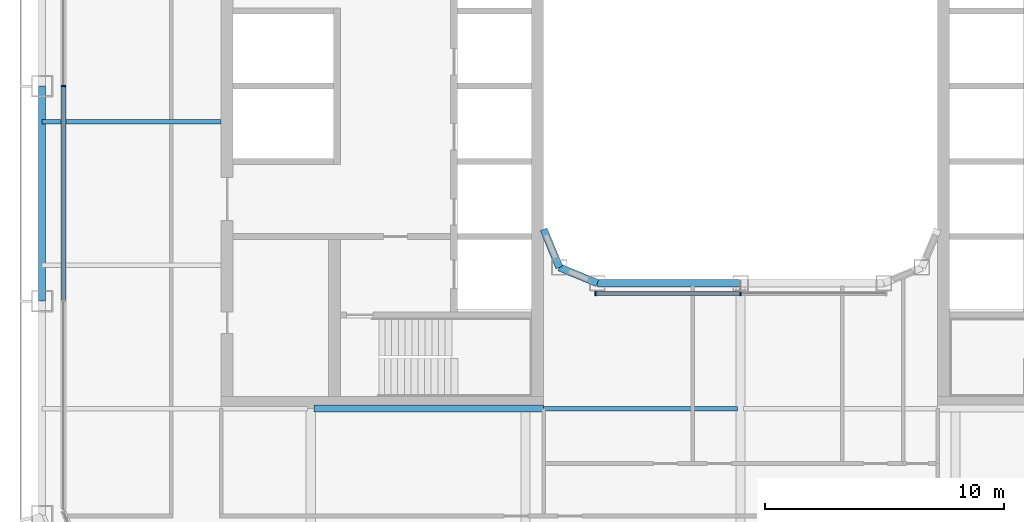
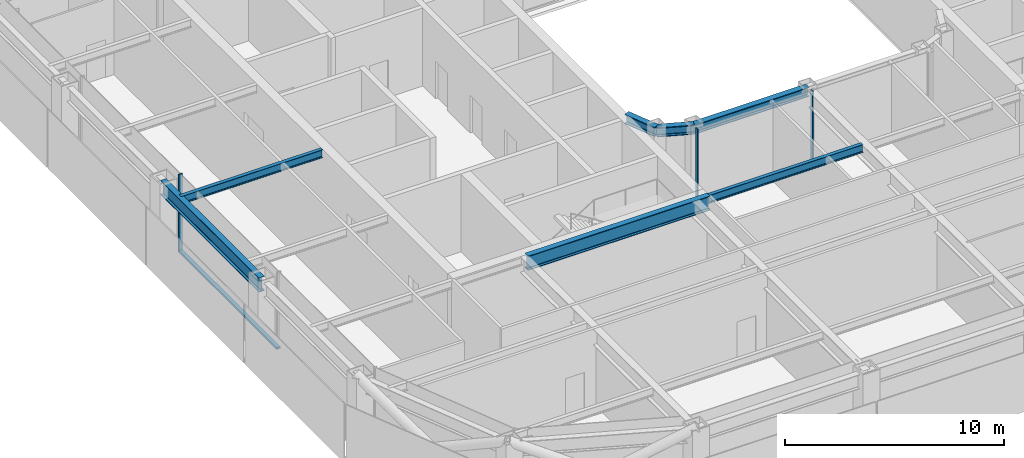
# One storey, part 3 of 23: 7 beams, 5 members, 2 elements without a shape of their own.
"""IFC4 building model written with IfcOpenShell, lengths in metres."""

from ifc_helpers import new_model, si_unit, direction, frame, origin, origin_2d, place, context, subcontext, project, spatial, rectangle, i_section, extrude, material, layer, layer_set, material_profile, profile_set, type_object, element, aggregate, save


model = new_model("IFC4")

# Units and contexts
model_context = context("Model", 3, precision=1e-05, world=origin(), true_north=direction((0.0, 1.0)))
body_context = subcontext(model_context, "Body", "Model", "MODEL_VIEW")
ifc_project = project(units=[si_unit("LENGTHUNIT", "METRE"), si_unit("AREAUNIT", "SQUARE_METRE"), si_unit("VOLUMEUNIT", "CUBIC_METRE"), si_unit("PLANEANGLEUNIT", "RADIAN"), si_unit("MASSUNIT", "GRAM", prefix="KILO")], contexts=[model_context])

# Site, building, storey
site_placement = place(None, origin())
site = spatial("IfcSite", under=ifc_project, at=site_placement, CompositionType="ELEMENT")
building_placement = place(site_placement, origin())
building = spatial("IfcBuilding", under=site, at=building_placement, Name="Siwar Civic Tower", CompositionType="ELEMENT")
storey_placement = place(building_placement, frame((0.0, 0.0, 167.699951171875)))
storey = spatial("IfcBuildingStorey", under=building, at=storey_placement, Name="L36", CompositionType="ELEMENT", Elevation=167.699951171875)

# Curtain wall, member
ifc_material_1 = material(Name="Aluminium and glass", Category="aluminium")
ifc_layer_1 = layer(ifc_material_1, 0.199951171875)
ifc_layer_set_1 = layer_set([ifc_layer_1], Name="Aluminium and glass")
curtain_wall_type_1 = type_object("IfcCurtainWallType", Name="ENV-CW-B", PredefinedType="NOTDEFINED", material=ifc_layer_set_1)
curtain_wall_1_placement = place(storey_placement, origin())
curtain_wall_1 = element("IfcCurtainWall", 1, at=curtain_wall_1_placement, inside=storey, type_object=curtain_wall_type_1, Name="Curtain wall B W", PredefinedType="NOTDEFINED")
ifc_material_2 = material(Name="Aluminium 6063-T6", Category="aluminium")
ifc_material_profile_1 = material_profile(ifc_material_2, rectangle(XDim=0.199951171875, YDim=0.06494140625, at=origin_2d()), Name="AL 200x65")
ifc_profile_set_1 = profile_set([ifc_material_profile_1], Name="Aluminium 6063-T6")
member_type_1 = type_object("IfcMemberType", Name="ENV-MULLION-B", PredefinedType="MULLION", material=ifc_profile_set_1)
member_1_placement = place(storey_placement, frame((-28.35009765625, 0.0, 0.0), z_axis=(0.0, 0.0, 1.0), x_axis=(1.0, 0.0, 0.0)))
member_1 = element("IfcMember", 2, at=member_1_placement, type_object=member_type_1, Name="Mullion B W 3", PredefinedType="MULLION", context=body_context, shape_type="SweptSolid", body=[
    extrude(rectangle(XDim=0.199951171875, YDim=0.06494140625, at=origin_2d()), origin(), (0.0, 0.0, 1.0), 4.35009765625),
])

# Curtain wall, members
ifc_material_3 = material(Name="Aluminium and glass", Category="aluminium")
ifc_layer_2 = layer(ifc_material_3, 0.179931640625)
ifc_layer_set_2 = layer_set([ifc_layer_2], Name="Aluminium and glass")
curtain_wall_type_2 = type_object("IfcCurtainWallType", Name="ENV-CW-W", PredefinedType="NOTDEFINED", material=ifc_layer_set_2)
curtain_wall_2_placement = place(storey_placement, origin())
curtain_wall_2 = element("IfcCurtainWall", 3, at=curtain_wall_2_placement, inside=storey, type_object=curtain_wall_type_2, Name="Curtain wall W WS", PredefinedType="NOTDEFINED")
ifc_material_4 = material(Name="Aluminium 6063-T6", Category="aluminium")
ifc_material_profile_2 = material_profile(ifc_material_4, rectangle(XDim=0.179931640625, YDim=0.06005859375, at=origin_2d()), Name="AL 180x60")
ifc_profile_set_2 = profile_set([ifc_material_profile_2], Name="Aluminium 6063-T6")
member_type_2 = type_object("IfcMemberType", Name="ENV-MULLION-W", PredefinedType="MULLION", material=ifc_profile_set_2)
member_2_placement = place(storey_placement, frame((-6.08642578125, -8.68505859375, 0.0), z_axis=(0.0, 0.0, 1.0), x_axis=(0.0, 1.0, 0.0)))
member_2 = element("IfcMember", 4, at=member_2_placement, type_object=member_type_2, Name="Mullion W WS 1", PredefinedType="MULLION", context=body_context, shape_type="SweptSolid", body=[
    extrude(rectangle(XDim=0.179931640625, YDim=0.06005859375, at=origin_2d()), origin(), (0.0, 0.0, 1.0), 4.35009765625),
])
member_3_placement = place(storey_placement, frame((0.0, -8.68505859375, 0.0), z_axis=(0.0, 0.0, 1.0), x_axis=(0.0, 1.0, 0.0)))
member_3 = element("IfcMember", 5, at=member_3_placement, type_object=member_type_2, Name="Mullion W WS 2", PredefinedType="MULLION", context=body_context, shape_type="SweptSolid", body=[
    extrude(rectangle(XDim=0.179931640625, YDim=0.06005859375, at=origin_2d()), origin(), (0.0, 0.0, 1.0), 4.35009765625),
])

# Member
ifc_material_5 = material(Name="Aluminium 6063-T6", Category="aluminium")
ifc_material_profile_3 = material_profile(ifc_material_5, rectangle(XDim=0.199951171875, YDim=0.110107421875, at=origin_2d()), Name="AL 200x110")
ifc_profile_set_3 = profile_set([ifc_material_profile_3], Name="Aluminium 6063-T6")
member_type_3 = type_object("IfcMemberType", Name="ENV-TRANSOM-B", PredefinedType="USERDEFINED", material=ifc_profile_set_3)
member_4_placement = place(storey_placement, frame((-28.35009765625, -0.032470703125, 0.054931640625), z_axis=(0.0, -1.0, 0.0), x_axis=(1.0, 0.0, 0.0)))
member_4 = element("IfcMember", 6, at=member_4_placement, type_object=member_type_3, Name="Transom B W 3", ObjectType="TRANSOM", PredefinedType="USERDEFINED", context=body_context, shape_type="SweptSolid", body=[
    extrude(rectangle(XDim=0.199951171875, YDim=0.110107421875, at=origin_2d()), origin(), (0.0, 0.0, 1.0), 8.93505859375),
])

aggregate(curtain_wall_1, [member_1, member_4])

ifc_material_6 = material(Name="Aluminium 6063-T6", Category="aluminium")
ifc_material_profile_4 = material_profile(ifc_material_6, rectangle(XDim=0.179931640625, YDim=0.10009765625, at=origin_2d()), Name="AL 180x100")
ifc_profile_set_4 = profile_set([ifc_material_profile_4], Name="Aluminium 6063-T6")
member_type_4 = type_object("IfcMemberType", Name="ENV-TRANSOM-W", PredefinedType="USERDEFINED", material=ifc_profile_set_4)
member_5_placement = place(storey_placement, frame((-6.056640625, -8.68505859375, 0.050048828125), z_axis=(1.0, 0.0, 0.0), x_axis=(0.0, 1.0, 0.0)))
member_5 = element("IfcMember", 7, at=member_5_placement, type_object=member_type_4, Name="Transom W WS 1", ObjectType="TRANSOM", PredefinedType="USERDEFINED", context=body_context, shape_type="SweptSolid", body=[
    extrude(rectangle(XDim=0.179931640625, YDim=0.10009765625, at=origin_2d()), origin(), (0.0, 0.0, 1.0), 6.026611328125),
])

aggregate(curtain_wall_2, [member_2, member_3, member_5])

# Beams
ifc_material_7 = material(Name="Steel S355", Category="steel")
ifc_material_profile_5 = material_profile(ifc_material_7, i_section(OverallWidth=0.18994140625, OverallDepth=0.449951171875, WebThickness=0.009521484375, FlangeThickness=0.0146484375, FilletRadius=0.02099609375, at=origin_2d()), Name="IPE450")
ifc_profile_set_5 = profile_set([ifc_material_profile_5], Name="Steel S355")
beam_type_1 = type_object("IfcBeamType", Name="STR-FB-IPE450", PredefinedType="JOIST", material=ifc_profile_set_5)
beam_1_placement = place(storey_placement, frame((-8.25, -13.5, 4.125), z_axis=(1.0, 0.0, 0.0), x_axis=(0.0, 1.0, 0.0)))
element("IfcBeam", 8, at=beam_1_placement, inside=storey, type_object=beam_type_1, Name="L36/bm/F016", PredefinedType="JOIST", context=body_context, shape_type="SweptSolid", body=[
    extrude(i_section(OverallWidth=0.18994140625, OverallDepth=0.449951171875, WebThickness=0.009521484375, FlangeThickness=0.0146484375, FilletRadius=0.02099609375, at=origin_2d()), origin(), (0.0, 0.0, 1.0), 8.1201171875),
])
beam_2_placement = place(storey_placement, frame((-29.25, -1.5, 4.125), z_axis=(1.0, 0.0, 0.0), x_axis=(0.0, 1.0, 0.0)))
element("IfcBeam", 9, at=beam_2_placement, inside=storey, type_object=beam_type_1, Name="L36/bm/F023", PredefinedType="JOIST", context=body_context, shape_type="SweptSolid", body=[
    extrude(i_section(OverallWidth=0.18994140625, OverallDepth=0.449951171875, WebThickness=0.009521484375, FlangeThickness=0.0146484375, FilletRadius=0.02099609375, at=origin_2d()), origin(), (0.0, 0.0, 1.0), 7.5),
])
ifc_material_8 = material(Name="Steel S355", Category="steel")
ifc_material_profile_6 = material_profile(ifc_material_8, i_section(OverallWidth=0.300048828125, OverallDepth=0.800048828125, WebThickness=0.017578125, FlangeThickness=0.032958984375, FilletRadius=0.030029296875, at=origin_2d()), Name="HEB800")
ifc_profile_set_6 = profile_set([ifc_material_profile_6], Name="Steel S355")
beam_type_2 = type_object("IfcBeamType", Name="STR-PG-HEB800", PredefinedType="BEAM", material=ifc_profile_set_6)
beam_3_placement = place(storey_placement, frame((-17.8701171875, -13.5, 3.949951171875), z_axis=(1.0, 0.0, 0.0), x_axis=(0.0, 1.0, 0.0)))
element("IfcBeam", 10, at=beam_3_placement, inside=storey, type_object=beam_type_2, Name="L36/bm/F015", PredefinedType="BEAM", context=body_context, shape_type="SweptSolid", body=[
    extrude(i_section(OverallWidth=0.300048828125, OverallDepth=0.800048828125, WebThickness=0.017578125, FlangeThickness=0.032958984375, FilletRadius=0.030029296875, at=origin_2d()), origin(), (0.0, 0.0, 1.0), 9.6201171875),
])
ifc_material_9 = material(Name="Steel S355", Category="steel")
ifc_material_profile_7 = material_profile(ifc_material_9, i_section(OverallWidth=0.305908203125, OverallDepth=0.52392578125, WebThickness=0.02099609375, FlangeThickness=0.0400390625, FilletRadius=0.027099609375, at=origin_2d()), Name="HEM500")
ifc_profile_set_7 = profile_set([ifc_material_profile_7], Name="Steel S355")
beam_type_3 = type_object("IfcBeamType", Name="STR-RB-HEM500", PredefinedType="BEAM", material=ifc_profile_set_7)
beam_4_placement = place(storey_placement, frame((-7.591064453125, -7.591064453125, 4.088134765625), z_axis=(0.923901072997, -0.382631424892, 0.0), x_axis=(0.382631424892, 0.923901072997, 0.0)))
element("IfcBeam", 11, at=beam_4_placement, inside=storey, type_object=beam_type_3, Name="L36/bm/RS0", PredefinedType="BEAM", context=body_context, shape_type="SweptSolid", body=[
    extrude(i_section(OverallWidth=0.305908203125, OverallDepth=0.52392578125, WebThickness=0.02099609375, FlangeThickness=0.0400390625, FilletRadius=0.027099609375, at=origin_2d()), origin(), (0.0, 0.0, 1.0), 1.72216796875),
])
beam_5_placement = place(storey_placement, frame((-6.0, -8.25, 4.088134765625), z_axis=(1.0, 0.0, 0.0), x_axis=(0.0, 1.0, 0.0)))
element("IfcBeam", 12, at=beam_5_placement, inside=storey, type_object=beam_type_3, Name="L36/bm/RS1", PredefinedType="BEAM", context=body_context, shape_type="SweptSolid", body=[
    extrude(i_section(OverallWidth=0.305908203125, OverallDepth=0.52392578125, WebThickness=0.02099609375, FlangeThickness=0.0400390625, FilletRadius=0.027099609375, at=origin_2d()), origin(), (0.0, 0.0, 1.0), 6.0),
])
beam_6_placement = place(storey_placement, frame((-7.591064453125, -7.591064453125, 4.088134765625), z_axis=(-0.382631424892, 0.923901072997, 0.0), x_axis=(-0.923901072997, -0.382631424892, 0.0)))
element("IfcBeam", 13, at=beam_6_placement, inside=storey, type_object=beam_type_3, Name="L36/bm/RSEW", PredefinedType="BEAM", context=body_context, shape_type="SweptSolid", body=[
    extrude(i_section(OverallWidth=0.305908203125, OverallDepth=0.52392578125, WebThickness=0.02099609375, FlangeThickness=0.0400390625, FilletRadius=0.027099609375, at=origin_2d()), origin(), (0.0, 0.0, 1.0), 1.72216796875),
])
ifc_material_10 = material(Name="Steel S355", Category="steel")
ifc_material_profile_8 = material_profile(ifc_material_10, i_section(OverallWidth=0.300048828125, OverallDepth=0.800048828125, WebThickness=0.017578125, FlangeThickness=0.032958984375, FilletRadius=0.030029296875, at=origin_2d()), Name="HEB800")
ifc_profile_set_8 = profile_set([ifc_material_profile_8], Name="Steel S355")
beam_type_4 = type_object("IfcBeamType", Name="STR-SB-HEB800", PredefinedType="BEAM", material=ifc_profile_set_8)
beam_7_placement = place(storey_placement, frame((-29.25, 0.0, 3.949951171875), z_axis=(0.0, -1.0, 0.0), x_axis=(1.0, 0.0, 0.0)))
element("IfcBeam", 14, at=beam_7_placement, inside=storey, type_object=beam_type_4, Name="L36/bm/SW-2", PredefinedType="BEAM", context=body_context, shape_type="SweptSolid", body=[
    extrude(i_section(OverallWidth=0.300048828125, OverallDepth=0.800048828125, WebThickness=0.017578125, FlangeThickness=0.032958984375, FilletRadius=0.030029296875, at=origin_2d()), origin(), (0.0, 0.0, 1.0), 9.0),
])

save(model, "model.ifc")
